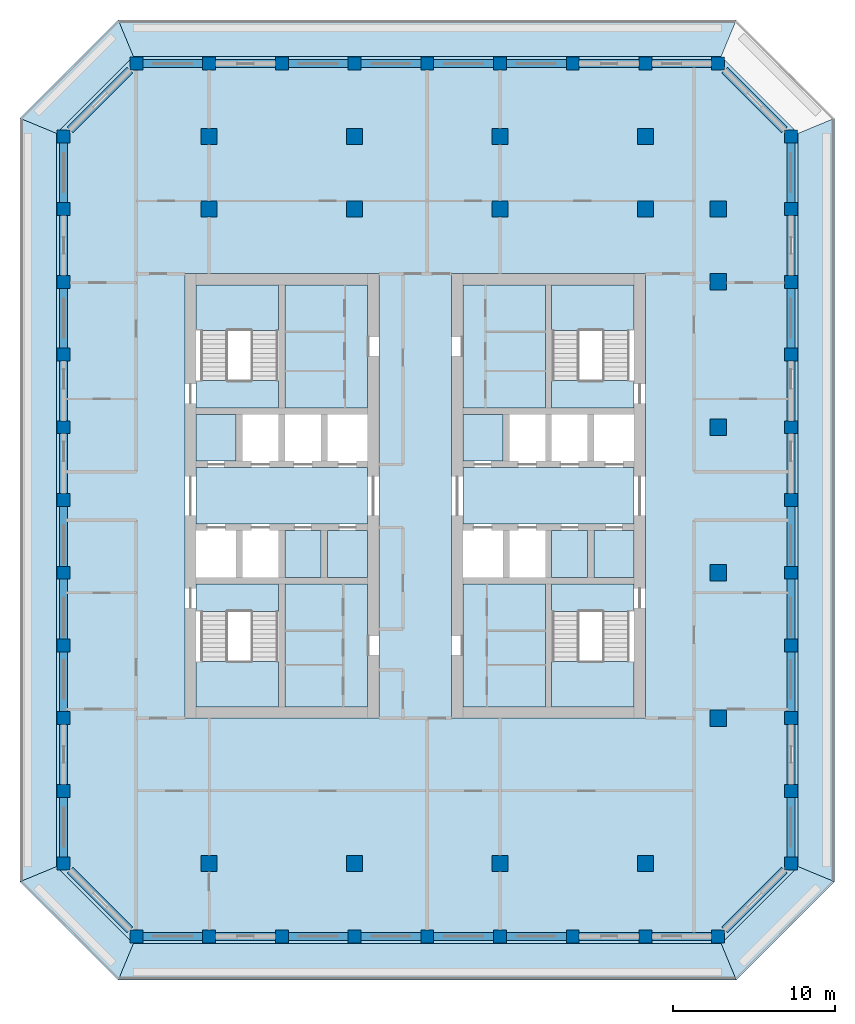
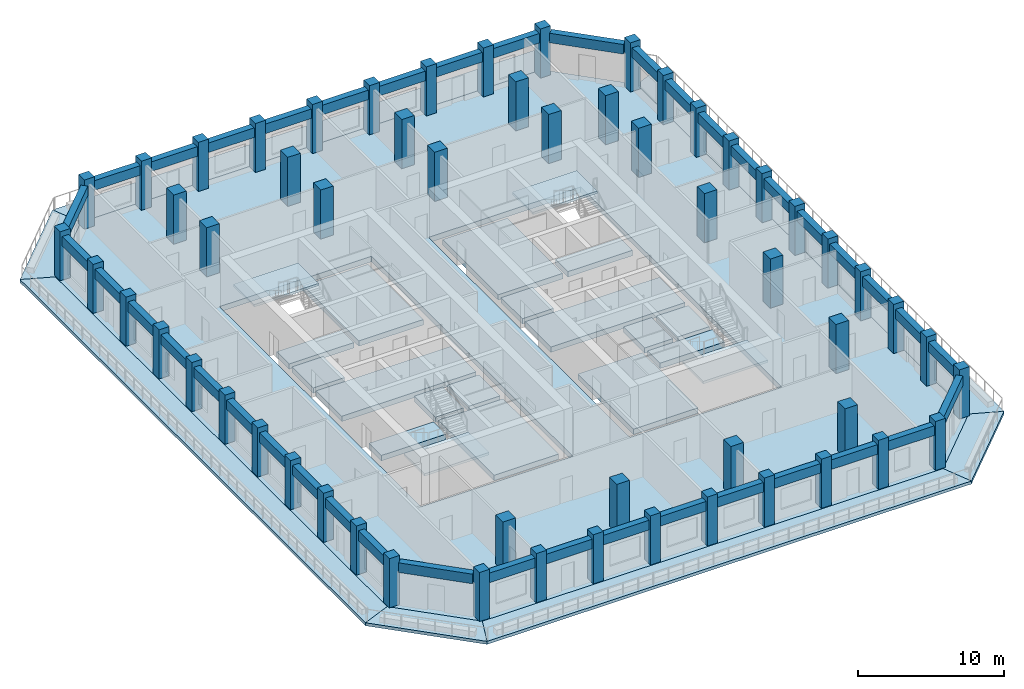
# One storey, part 1 of 17: 57 columns, 40 beams, 28 slabs, 4 elements without a shape of their own.
"""IFC4 building model written with IfcOpenShell, lengths in metres."""

from ifc_helpers import new_model, si_unit, direction, frame, origin, origin_2d, place, context, subcontext, project, spatial, polyline, rectangle, outline, extrude, material, layer, layer_set, material_profile, profile_set, type_object, element, aggregate, save


model = new_model("IFC4")

# Units and contexts
model_context = context("Model", 3, precision=1e-05, world=origin(), true_north=direction((0.0, 1.0)))
body_context = subcontext(model_context, "Body", "Model", "MODEL_VIEW")
ifc_project = project(units=[si_unit("LENGTHUNIT", "METRE"), si_unit("AREAUNIT", "SQUARE_METRE"), si_unit("VOLUMEUNIT", "CUBIC_METRE"), si_unit("PLANEANGLEUNIT", "RADIAN"), si_unit("MASSUNIT", "GRAM", prefix="KILO")], contexts=[model_context])

# Site, building, storey
site_placement = place(None, origin())
site = spatial("IfcSite", under=ifc_project, at=site_placement, CompositionType="ELEMENT")
building_placement = place(site_placement, origin())
building = spatial("IfcBuilding", under=site, at=building_placement, Name="Corbel Stack Research Tower", CompositionType="ELEMENT")
storey_placement = place(building_placement, frame((0.0, 0.0, 243.89990234375)))
storey = spatial("IfcBuildingStorey", under=building, at=storey_placement, Name="L55", CompositionType="ELEMENT", Elevation=243.89990234375)

# Columns
ifc_material_1 = material(Name="Concrete C60/75", Category="concrete")
ifc_material_profile_1 = material_profile(ifc_material_1, rectangle(XDim=1.0, YDim=1.0, at=origin_2d()), Name="RC 1000 x 1000")
ifc_profile_set_1 = profile_set([ifc_material_profile_1], Name="Concrete C60/75")
column_type_1 = type_object("IfcColumnType", Name="C-1000-60", PredefinedType="COLUMN", material=ifc_profile_set_1)
for number, where, z_axis, x_axis, name in (
    (1, (-9.0, -18.0, 0.0), (0.0, 0.0, 1.0), (1.0, 0.0, 0.0), "Column 6/D L55"),
    (2, (-9.0, 22.5, 0.0), (0.0, 0.0, 1.0), (1.0, 0.0, 0.0), "Column 6/N L55"),
    (3, (-9.0, 27.0, 0.0), (0.0, 0.0, 1.0), (1.0, 0.0, 0.0), "Column 6/P L55"),
    (4, (0.0, -18.0, 0.0), (0.0, 0.0, 1.0), (1.0, 0.0, 0.0), "Column 8/D L55"),
    (5, (0.0, 22.5, 0.0), (0.0, 0.0, 1.0), (1.0, 0.0, 0.0), "Column 8/N L55"),
    (6, (0.0, 27.0, 0.0), (0.0, 0.0, 1.0), (1.0, 0.0, 0.0), "Column 8/P L55"),
    (7, (9.0, -18.0, 0.0), (0.0, 0.0, 1.0), (1.0, 0.0, 0.0), "Column 10/D L55"),
    (8, (9.0, 22.5, 0.0), (0.0, 0.0, 1.0), (1.0, 0.0, 0.0), "Column 10/N L55"),
    (9, (9.0, 27.0, 0.0), (0.0, 0.0, 1.0), (1.0, 0.0, 0.0), "Column 10/P L55"),
    (10, (18.0, -18.0, 0.0), (0.0, 0.0, 1.0), (1.0, 0.0, 0.0), "Column 12/D L55"),
    (11, (18.0, 22.5, 0.0), (0.0, 0.0, 1.0), (1.0, 0.0, 0.0), "Column 12/N L55"),
    (12, (18.0, 27.0, 0.0), (0.0, 0.0, 1.0), (1.0, 0.0, 0.0), "Column 12/P L55"),
    (13, (22.5, -9.0, 0.0), (0.0, 0.0, 1.0), (1.0, 0.0, 0.0), "Column 13/F L55"),
    (14, (22.5, 0.0, 0.0), (0.0, 0.0, 1.0), (1.0, 0.0, 0.0), "Column 13/H L55"),
    (15, (22.5, 9.0, 0.0), (0.0, 0.0, 1.0), (1.0, 0.0, 0.0), "Column 13/K L55"),
    (16, (22.5, 18.0, 0.0), (0.0, 0.0, 1.0), (1.0, 0.0, 0.0), "Column 13/M L55"),
    (17, (22.5, 22.5, 0.0), (0.0, 0.0, 1.0), (1.0, 0.0, 0.0), "Column 13/N L55"),
):
    element("IfcColumn", number, at=place(storey_placement, frame(where, z_axis=z_axis, x_axis=x_axis)), inside=storey, type_object=column_type_1, Name=name, PredefinedType="COLUMN", context=body_context, shape_type="SweptSolid", body=[
        extrude(rectangle(XDim=1.0, YDim=1.0, at=origin_2d()), origin(), (0.0, 0.0, 1.0), 4.10009765625),
    ])
ifc_material_2 = material(Name="Concrete C60/75", Category="concrete")
ifc_material_profile_2 = material_profile(ifc_material_2, rectangle(XDim=0.800048828125, YDim=0.800048828125, at=origin_2d()), Name="RC 800 x 800")
ifc_profile_set_2 = profile_set([ifc_material_profile_2], Name="Concrete C60/75")
column_type_2 = type_object("IfcColumnType", Name="C-800-60", PredefinedType="COLUMN", material=ifc_profile_set_2)
for number, where, z_axis, x_axis, name in (
    (18, (-18.0, -18.0, 0.0), (0.0, 0.0, 1.0), (1.0, 0.0, 0.0), "Column 4/D L55"),
    (19, (-18.0, -13.5, 0.0), (0.0, 0.0, 1.0), (1.0, 0.0, 0.0), "Column 4/E L55"),
    (20, (-18.0, -9.0, 0.0), (0.0, 0.0, 1.0), (1.0, 0.0, 0.0), "Column 4/F L55"),
    (21, (-18.0, -4.5, 0.0), (0.0, 0.0, 1.0), (1.0, 0.0, 0.0), "Column 4/G L55"),
    (22, (-18.0, 0.0, 0.0), (0.0, 0.0, 1.0), (1.0, 0.0, 0.0), "Column 4/H L55"),
    (23, (-18.0, 4.5, 0.0), (0.0, 0.0, 1.0), (1.0, 0.0, 0.0), "Column 4/J L55"),
    (24, (-18.0, 9.0, 0.0), (0.0, 0.0, 1.0), (1.0, 0.0, 0.0), "Column 4/K L55"),
    (25, (-18.0, 13.5, 0.0), (0.0, 0.0, 1.0), (1.0, 0.0, 0.0), "Column 4/L L55"),
    (26, (-18.0, 18.0, 0.0), (0.0, 0.0, 1.0), (1.0, 0.0, 0.0), "Column 4/M L55"),
    (27, (-18.0, 22.5, 0.0), (0.0, 0.0, 1.0), (1.0, 0.0, 0.0), "Column 4/N L55"),
    (28, (-18.0, 27.0, 0.0), (0.0, 0.0, 1.0), (1.0, 0.0, 0.0), "Column 4/P L55"),
    (29, (-13.5, -22.5, 0.0), (0.0, 0.0, 1.0), (1.0, 0.0, 0.0), "Column 5/C L55"),
    (30, (-13.5, 31.5, 0.0), (0.0, 0.0, 1.0), (1.0, 0.0, 0.0), "Column 5/Q L55"),
    (31, (-9.0, -22.5, 0.0), (0.0, 0.0, 1.0), (1.0, 0.0, 0.0), "Column 6/C L55"),
    (32, (-9.0, 31.5, 0.0), (0.0, 0.0, 1.0), (1.0, 0.0, 0.0), "Column 6/Q L55"),
    (33, (-4.5, -22.5, 0.0), (0.0, 0.0, 1.0), (1.0, 0.0, 0.0), "Column 7/C L55"),
    (34, (-4.5, 31.5, 0.0), (0.0, 0.0, 1.0), (1.0, 0.0, 0.0), "Column 7/Q L55"),
    (35, (0.0, -22.5, 0.0), (0.0, 0.0, 1.0), (1.0, 0.0, 0.0), "Column 8/C L55"),
    (36, (0.0, 31.5, 0.0), (0.0, 0.0, 1.0), (1.0, 0.0, 0.0), "Column 8/Q L55"),
    (37, (4.5, -22.5, 0.0), (0.0, 0.0, 1.0), (1.0, 0.0, 0.0), "Column 9/C L55"),
    (38, (4.5, 31.5, 0.0), (0.0, 0.0, 1.0), (1.0, 0.0, 0.0), "Column 9/Q L55"),
    (39, (9.0, -22.5, 0.0), (0.0, 0.0, 1.0), (1.0, 0.0, 0.0), "Column 10/C L55"),
    (40, (9.0, 31.5, 0.0), (0.0, 0.0, 1.0), (1.0, 0.0, 0.0), "Column 10/Q L55"),
    (41, (13.5, -22.5, 0.0), (0.0, 0.0, 1.0), (1.0, 0.0, 0.0), "Column 11/C L55"),
    (42, (13.5, 31.5, 0.0), (0.0, 0.0, 1.0), (1.0, 0.0, 0.0), "Column 11/Q L55"),
    (43, (18.0, -22.5, 0.0), (0.0, 0.0, 1.0), (1.0, 0.0, 0.0), "Column 12/C L55"),
    (44, (18.0, 31.5, 0.0), (0.0, 0.0, 1.0), (1.0, 0.0, 0.0), "Column 12/Q L55"),
    (45, (22.5, -22.5, 0.0), (0.0, 0.0, 1.0), (1.0, 0.0, 0.0), "Column 13/C L55"),
    (46, (22.5, 31.5, 0.0), (0.0, 0.0, 1.0), (1.0, 0.0, 0.0), "Column 13/Q L55"),
    (47, (27.0, -18.0, 0.0), (0.0, 0.0, 1.0), (1.0, 0.0, 0.0), "Column 14/D L55"),
    (48, (27.0, -13.5, 0.0), (0.0, 0.0, 1.0), (1.0, 0.0, 0.0), "Column 14/E L55"),
    (49, (27.0, -9.0, 0.0), (0.0, 0.0, 1.0), (1.0, 0.0, 0.0), "Column 14/F L55"),
    (50, (27.0, -4.5, 0.0), (0.0, 0.0, 1.0), (1.0, 0.0, 0.0), "Column 14/G L55"),
    (51, (27.0, 0.0, 0.0), (0.0, 0.0, 1.0), (1.0, 0.0, 0.0), "Column 14/H L55"),
    (52, (27.0, 4.5, 0.0), (0.0, 0.0, 1.0), (1.0, 0.0, 0.0), "Column 14/J L55"),
    (53, (27.0, 9.0, 0.0), (0.0, 0.0, 1.0), (1.0, 0.0, 0.0), "Column 14/K L55"),
    (54, (27.0, 13.5, 0.0), (0.0, 0.0, 1.0), (1.0, 0.0, 0.0), "Column 14/L L55"),
    (55, (27.0, 18.0, 0.0), (0.0, 0.0, 1.0), (1.0, 0.0, 0.0), "Column 14/M L55"),
    (56, (27.0, 22.5, 0.0), (0.0, 0.0, 1.0), (1.0, 0.0, 0.0), "Column 14/N L55"),
    (57, (27.0, 27.0, 0.0), (0.0, 0.0, 1.0), (1.0, 0.0, 0.0), "Column 14/P L55"),
):
    element("IfcColumn", number, at=place(storey_placement, frame(where, z_axis=z_axis, x_axis=x_axis)), inside=storey, type_object=column_type_2, Name=name, PredefinedType="COLUMN", context=body_context, shape_type="SweptSolid", body=[
        extrude(rectangle(XDim=0.800048828125, YDim=0.800048828125, at=origin_2d()), origin(), (0.0, 0.0, 1.0), 4.10009765625),
    ])

# Beams
ifc_material_3 = material(Name="Concrete C60/75", Category="concrete")
ifc_material_profile_3 = material_profile(ifc_material_3, rectangle(XDim=0.5, YDim=0.800048828125, at=origin_2d()), Name="RC 500 x 800")
ifc_profile_set_3 = profile_set([ifc_material_profile_3], Name="Concrete C60/75")
beam_type = type_object("IfcBeamType", Name="SB-500-800-450", PredefinedType="SPANDREL", material=ifc_profile_set_3)
for number, where, z_axis, x_axis, name in (
    (58, (-13.10009765625, -22.5, 3.25), (1.0, 0.0, 0.0), (0.0, 1.0, 0.0), "Spandrel beam L55-01"),
    (59, (-8.60009765625, -22.5, 3.25), (1.0, 0.0, 0.0), (0.0, 1.0, 0.0), "Spandrel beam L55-02"),
    (60, (-4.10009765625, -22.5, 3.25), (1.0, 0.0, 0.0), (0.0, 1.0, 0.0), "Spandrel beam L55-03"),
    (61, (0.39990234375, -22.5, 3.25), (1.0, 0.0, 0.0), (0.0, 1.0, 0.0), "Spandrel beam L55-04"),
    (62, (4.89990234375, -22.5, 3.25), (1.0, 0.0, 0.0), (0.0, 1.0, 0.0), "Spandrel beam L55-05"),
    (63, (9.39990234375, -22.5, 3.25), (1.0, 0.0, 0.0), (0.0, 1.0, 0.0), "Spandrel beam L55-06"),
    (64, (13.89990234375, -22.5, 3.25), (1.0, 0.0, 0.0), (0.0, 1.0, 0.0), "Spandrel beam L55-07"),
    (65, (18.39990234375, -22.5, 3.25), (1.0, 0.0, 0.0), (0.0, 1.0, 0.0), "Spandrel beam L55-08"),
):
    element("IfcBeam", number, at=place(storey_placement, frame(where, z_axis=z_axis, x_axis=x_axis)), inside=storey, type_object=beam_type, Name=name, PredefinedType="SPANDREL", context=body_context, shape_type="SweptSolid", body=[
        extrude(rectangle(XDim=0.5, YDim=0.800048828125, at=origin_2d()), origin(), (0.0, 0.0, 1.0), 3.7001953125),
    ])
beam_1_placement = place(storey_placement, frame((22.89990234375, -22.10009765625, 3.25), z_axis=(0.707106781187, 0.707106781187, 0.0), x_axis=(-0.707106781187, 0.707106781187, 0.0)))
element("IfcBeam", 66, at=beam_1_placement, inside=storey, type_object=beam_type, Name="Spandrel beam L55-09", PredefinedType="SPANDREL", context=body_context, shape_type="SweptSolid", body=[
    extrude(rectangle(XDim=0.5, YDim=0.800048828125, at=origin_2d()), origin(), (0.0, 0.0, 1.0), 5.23291015625),
])
for number, where, z_axis, x_axis, name in (
    (67, (27.0, -17.60009765625, 3.25), (0.0, 1.0, 0.0), (-1.0, 0.0, 0.0), "Spandrel beam L55-10"),
    (68, (27.0, -13.10009765625, 3.25), (0.0, 1.0, 0.0), (-1.0, 0.0, 0.0), "Spandrel beam L55-11"),
    (69, (27.0, -8.60009765625, 3.25), (0.0, 1.0, 0.0), (-1.0, 0.0, 0.0), "Spandrel beam L55-12"),
    (70, (27.0, -4.10009765625, 3.25), (0.0, 1.0, 0.0), (-1.0, 0.0, 0.0), "Spandrel beam L55-13"),
    (71, (27.0, 0.39990234375, 3.25), (0.0, 1.0, 0.0), (-1.0, 0.0, 0.0), "Spandrel beam L55-14"),
    (72, (27.0, 4.89990234375, 3.25), (0.0, 1.0, 0.0), (-1.0, 0.0, 0.0), "Spandrel beam L55-15"),
    (73, (27.0, 9.39990234375, 3.25), (0.0, 1.0, 0.0), (-1.0, 0.0, 0.0), "Spandrel beam L55-16"),
    (74, (27.0, 13.89990234375, 3.25), (0.0, 1.0, 0.0), (-1.0, 0.0, 0.0), "Spandrel beam L55-17"),
    (75, (27.0, 18.39990234375, 3.25), (0.0, 1.0, 0.0), (-1.0, 0.0, 0.0), "Spandrel beam L55-18"),
    (76, (27.0, 22.89990234375, 3.25), (0.0, 1.0, 0.0), (-1.0, 0.0, 0.0), "Spandrel beam L55-19"),
):
    element("IfcBeam", number, at=place(storey_placement, frame(where, z_axis=z_axis, x_axis=x_axis)), inside=storey, type_object=beam_type, Name=name, PredefinedType="SPANDREL", context=body_context, shape_type="SweptSolid", body=[
        extrude(rectangle(XDim=0.5, YDim=0.800048828125, at=origin_2d()), origin(), (0.0, 0.0, 1.0), 3.7001953125),
    ])
beam_2_placement = place(storey_placement, frame((26.60009765625, 27.39990234375, 3.25), z_axis=(-0.707106781187, 0.707106781187, 0.0), x_axis=(-0.707106781187, -0.707106781187, 0.0)))
element("IfcBeam", 77, at=beam_2_placement, inside=storey, type_object=beam_type, Name="Spandrel beam L55-20", PredefinedType="SPANDREL", context=body_context, shape_type="SweptSolid", body=[
    extrude(rectangle(XDim=0.5, YDim=0.800048828125, at=origin_2d()), origin(), (0.0, 0.0, 1.0), 5.23291015625),
])
for number, where, z_axis, x_axis, name in (
    (78, (22.10009765625, 31.5, 3.25), (-1.0, 0.0, 0.0), (0.0, -1.0, 0.0), "Spandrel beam L55-21"),
    (79, (17.60009765625, 31.5, 3.25), (-1.0, 0.0, 0.0), (0.0, -1.0, 0.0), "Spandrel beam L55-22"),
    (80, (13.10009765625, 31.5, 3.25), (-1.0, 0.0, 0.0), (0.0, -1.0, 0.0), "Spandrel beam L55-23"),
    (81, (8.60009765625, 31.5, 3.25), (-1.0, 0.0, 0.0), (0.0, -1.0, 0.0), "Spandrel beam L55-24"),
    (82, (4.10009765625, 31.5, 3.25), (-1.0, 0.0, 0.0), (0.0, -1.0, 0.0), "Spandrel beam L55-25"),
    (83, (-0.39990234375, 31.5, 3.25), (-1.0, 0.0, 0.0), (0.0, -1.0, 0.0), "Spandrel beam L55-26"),
    (84, (-4.89990234375, 31.5, 3.25), (-1.0, 0.0, 0.0), (0.0, -1.0, 0.0), "Spandrel beam L55-27"),
    (85, (-9.39990234375, 31.5, 3.25), (-1.0, 0.0, 0.0), (0.0, -1.0, 0.0), "Spandrel beam L55-28"),
):
    element("IfcBeam", number, at=place(storey_placement, frame(where, z_axis=z_axis, x_axis=x_axis)), inside=storey, type_object=beam_type, Name=name, PredefinedType="SPANDREL", context=body_context, shape_type="SweptSolid", body=[
        extrude(rectangle(XDim=0.5, YDim=0.800048828125, at=origin_2d()), origin(), (0.0, 0.0, 1.0), 3.7001953125),
    ])
beam_3_placement = place(storey_placement, frame((-13.89990234375, 31.10009765625, 3.25), z_axis=(-0.707106781187, -0.707106781187, 0.0), x_axis=(0.707106781187, -0.707106781187, 0.0)))
element("IfcBeam", 86, at=beam_3_placement, inside=storey, type_object=beam_type, Name="Spandrel beam L55-29", PredefinedType="SPANDREL", context=body_context, shape_type="SweptSolid", body=[
    extrude(rectangle(XDim=0.5, YDim=0.800048828125, at=origin_2d()), origin(), (0.0, 0.0, 1.0), 5.23291015625),
])
for number, where, z_axis, x_axis, name in (
    (87, (-18.0, 26.60009765625, 3.25), (0.0, -1.0, 0.0), (1.0, 0.0, 0.0), "Spandrel beam L55-30"),
    (88, (-18.0, 22.10009765625, 3.25), (0.0, -1.0, 0.0), (1.0, 0.0, 0.0), "Spandrel beam L55-31"),
    (89, (-18.0, 17.60009765625, 3.25), (0.0, -1.0, 0.0), (1.0, 0.0, 0.0), "Spandrel beam L55-32"),
    (90, (-18.0, 13.10009765625, 3.25), (0.0, -1.0, 0.0), (1.0, 0.0, 0.0), "Spandrel beam L55-33"),
    (91, (-18.0, 8.60009765625, 3.25), (0.0, -1.0, 0.0), (1.0, 0.0, 0.0), "Spandrel beam L55-34"),
    (92, (-18.0, 4.10009765625, 3.25), (0.0, -1.0, 0.0), (1.0, 0.0, 0.0), "Spandrel beam L55-35"),
    (93, (-18.0, -0.39990234375, 3.25), (0.0, -1.0, 0.0), (1.0, 0.0, 0.0), "Spandrel beam L55-36"),
    (94, (-18.0, -4.89990234375, 3.25), (0.0, -1.0, 0.0), (1.0, 0.0, 0.0), "Spandrel beam L55-37"),
    (95, (-18.0, -9.39990234375, 3.25), (0.0, -1.0, 0.0), (1.0, 0.0, 0.0), "Spandrel beam L55-38"),
    (96, (-18.0, -13.89990234375, 3.25), (0.0, -1.0, 0.0), (1.0, 0.0, 0.0), "Spandrel beam L55-39"),
):
    element("IfcBeam", number, at=place(storey_placement, frame(where, z_axis=z_axis, x_axis=x_axis)), inside=storey, type_object=beam_type, Name=name, PredefinedType="SPANDREL", context=body_context, shape_type="SweptSolid", body=[
        extrude(rectangle(XDim=0.5, YDim=0.800048828125, at=origin_2d()), origin(), (0.0, 0.0, 1.0), 3.7001953125),
    ])
beam_4_placement = place(storey_placement, frame((-17.60009765625, -18.39990234375, 3.25), z_axis=(0.707106781187, -0.707106781187, 0.0), x_axis=(0.707106781187, 0.707106781187, 0.0)))
element("IfcBeam", 97, at=beam_4_placement, inside=storey, type_object=beam_type, Name="Spandrel beam L55-40", PredefinedType="SPANDREL", context=body_context, shape_type="SweptSolid", body=[
    extrude(rectangle(XDim=0.5, YDim=0.800048828125, at=origin_2d()), origin(), (0.0, 0.0, 1.0), 5.23291015625),
])

# Slabs
ifc_material_4 = material(Name="Concrete C45/55", Category="concrete")
ifc_layer_1 = layer(ifc_material_4, 0.25)
ifc_layer_set_1 = layer_set([ifc_layer_1], Name="Concrete C45/55")
slab_type_1 = type_object("IfcSlabType", Name="PT balcony slab 250 C45/55", PredefinedType="FLOOR", material=ifc_layer_set_1)
slab_1_placement = place(storey_placement, frame((0.0, 0.0, -0.25)))
element("IfcSlab", 98, at=slab_1_placement, inside=storey, type_object=slab_type_1, Name="Loggia slab L55 S", PredefinedType="FLOOR", context=body_context, shape_type="SweptSolid", body=[
    extrude(outline(polyline([(22.686279296875, -22.949951171875), (-13.686279296875, -22.949951171875), (-14.618408203125, -25.199951171875), (23.618408203125, -25.199951171875), (22.686279296875, -22.949951171875)])), origin(), (0.0, 0.0, 1.0), 0.25),
])
slab_2_placement = place(storey_placement, frame((0.0, 0.0, -0.25)))
element("IfcSlab", 99, at=slab_2_placement, inside=storey, type_object=slab_type_1, Name="Loggia slab L55 SE", PredefinedType="FLOOR", context=body_context, shape_type="SweptSolid", body=[
    extrude(outline(polyline([(27.449951171875, -18.186279296875), (27.39990234375, -18.236328125), (27.39990234375, -18.39990234375), (27.236328125, -18.39990234375), (22.89990234375, -22.736328125), (22.89990234375, -22.89990234375), (22.736328125, -22.89990234375), (22.686279296875, -22.949951171875), (23.618408203125, -25.199951171875), (29.699951171875, -19.118408203125), (27.449951171875, -18.186279296875)])), origin(), (0.0, 0.0, 1.0), 0.25),
])
slab_3_placement = place(storey_placement, frame((0.0, 0.0, -0.25)))
element("IfcSlab", 100, at=slab_3_placement, inside=storey, type_object=slab_type_1, Name="Loggia slab L55 E", PredefinedType="FLOOR", context=body_context, shape_type="SweptSolid", body=[
    extrude(outline(polyline([(27.449951171875, 27.186279296875), (27.449951171875, -18.186279296875), (29.699951171875, -19.118408203125), (29.699951171875, 28.118408203125), (27.449951171875, 27.186279296875)])), origin(), (0.0, 0.0, 1.0), 0.25),
])
slab_4_placement = place(storey_placement, frame((0.0, 0.0, -0.25)))
element("IfcSlab", 101, at=slab_4_placement, inside=storey, type_object=slab_type_1, Name="Loggia slab L55 N", PredefinedType="FLOOR", context=body_context, shape_type="SweptSolid", body=[
    extrude(outline(polyline([(-13.686279296875, 31.949951171875), (22.686279296875, 31.949951171875), (23.618408203125, 34.199951171875), (-14.618408203125, 34.199951171875), (-13.686279296875, 31.949951171875)])), origin(), (0.0, 0.0, 1.0), 0.25),
])
slab_5_placement = place(storey_placement, frame((0.0, 0.0, -0.25)))
element("IfcSlab", 102, at=slab_5_placement, inside=storey, type_object=slab_type_1, Name="Loggia slab L55 NW", PredefinedType="FLOOR", context=body_context, shape_type="SweptSolid", body=[
    extrude(outline(polyline([(-18.449951171875, 27.186279296875), (-18.39990234375, 27.236328125), (-18.39990234375, 27.39990234375), (-18.236328125, 27.39990234375), (-13.89990234375, 31.736328125), (-13.89990234375, 31.89990234375), (-13.736328125, 31.89990234375), (-13.686279296875, 31.949951171875), (-14.618408203125, 34.199951171875), (-20.699951171875, 28.118408203125), (-18.449951171875, 27.186279296875)])), origin(), (0.0, 0.0, 1.0), 0.25),
])
slab_6_placement = place(storey_placement, frame((0.0, 0.0, -0.25)))
element("IfcSlab", 103, at=slab_6_placement, inside=storey, type_object=slab_type_1, Name="Loggia slab L55 W", PredefinedType="FLOOR", context=body_context, shape_type="SweptSolid", body=[
    extrude(outline(polyline([(-18.449951171875, -18.186279296875), (-18.449951171875, 27.186279296875), (-20.699951171875, 28.118408203125), (-20.699951171875, -19.118408203125), (-18.449951171875, -18.186279296875)])), origin(), (0.0, 0.0, 1.0), 0.25),
])
slab_7_placement = place(storey_placement, frame((0.0, 0.0, -0.25)))
element("IfcSlab", 104, at=slab_7_placement, inside=storey, type_object=slab_type_1, Name="Loggia slab L55 SW", PredefinedType="FLOOR", context=body_context, shape_type="SweptSolid", body=[
    extrude(outline(polyline([(-13.686279296875, -22.949951171875), (-13.736328125, -22.89990234375), (-13.89990234375, -22.89990234375), (-13.89990234375, -22.736328125), (-18.236328125, -18.39990234375), (-18.39990234375, -18.39990234375), (-18.39990234375, -18.236328125), (-18.449951171875, -18.186279296875), (-20.699951171875, -19.118408203125), (-14.618408203125, -25.199951171875), (-13.686279296875, -22.949951171875)])), origin(), (0.0, 0.0, 1.0), 0.25),
])
ifc_material_5 = material(Name="Concrete C45/55", Category="concrete")
ifc_layer_2 = layer(ifc_material_5, 0.449951171875)
ifc_layer_set_2 = layer_set([ifc_layer_2], Name="Concrete C45/55")
slab_type_2 = type_object("IfcSlabType", Name="PT-450", PredefinedType="FLOOR", material=ifc_layer_set_2)
slab_8_placement = place(storey_placement, frame((0.0, 0.0, -0.449951171875)))
element("IfcSlab", 105, at=slab_8_placement, inside=storey, type_object=slab_type_2, Name="Floor slab L55", PredefinedType="FLOOR", context=body_context, shape_type="SweptSolid", body=[
    extrude(outline(polyline([(-13.686279296875, -22.949951171875), (22.686279296875, -22.949951171875), (27.449951171875, -18.186279296875), (27.449951171875, 27.186279296875), (22.686279296875, 31.949951171875), (-13.686279296875, 31.949951171875), (-18.449951171875, 27.186279296875), (-18.449951171875, -18.186279296875), (-13.686279296875, -22.949951171875)]), holes=[polyline([(22.0, 22.0), (22.0, 23.0), (23.0, 23.0), (23.0, 22.0), (22.0, 22.0)]), polyline([(23.0, 17.5), (22.0, 17.5), (22.0, 18.5), (23.0, 18.5), (23.0, 17.5)]), polyline([(23.0, 8.5), (22.0, 8.5), (22.0, 9.5), (23.0, 9.5), (23.0, 8.5)]), polyline([(22.0, -0.5), (22.0, 0.5), (23.0, 0.5), (23.0, -0.5), (22.0, -0.5)]), polyline([(23.0, -9.5), (22.0, -9.5), (22.0, -8.5), (23.0, -8.5), (23.0, -9.5)]), polyline([(17.5, 26.5), (17.5, 27.5), (18.5, 27.5), (18.5, 26.5), (17.5, 26.5)]), polyline([(18.5, 22.0), (17.5, 22.0), (17.5, 23.0), (18.5, 23.0), (18.5, 22.0)]), polyline([(18.5, -18.5), (17.5, -18.5), (17.5, -17.5), (18.5, -17.5), (18.5, -18.5)]), polyline([(6.0, -9.0), (6.0, 18.5), (18.0, 18.5), (18.0, -9.0), (6.0, -9.0)]), polyline([(9.5, 26.5), (8.5, 26.5), (8.5, 27.5), (9.5, 27.5), (9.5, 26.5)]), polyline([(9.5, 22.0), (8.5, 22.0), (8.5, 23.0), (9.5, 23.0), (9.5, 22.0)]), polyline([(9.5, -18.5), (8.5, -18.5), (8.5, -17.5), (9.5, -17.5), (9.5, -18.5)]), polyline([(1.5, -9.0), (-10.5, -9.0), (-10.5, 18.5), (1.5, 18.5), (1.5, -9.0)]), polyline([(-0.5, 26.5), (-0.5, 27.5), (0.5, 27.5), (0.5, 26.5), (-0.5, 26.5)]), polyline([(0.5, 22.0), (-0.5, 22.0), (-0.5, 23.0), (0.5, 23.0), (0.5, 22.0)]), polyline([(0.5, -18.5), (-0.5, -18.5), (-0.5, -17.5), (0.5, -17.5), (0.5, -18.5)]), polyline([(-9.5, 26.5), (-9.5, 27.5), (-8.5, 27.5), (-8.5, 26.5), (-9.5, 26.5)]), polyline([(-8.5, 22.0), (-9.5, 22.0), (-9.5, 23.0), (-8.5, 23.0), (-8.5, 22.0)]), polyline([(-8.5, -18.5), (-9.5, -18.5), (-9.5, -17.5), (-8.5, -17.5), (-8.5, -18.5)])]), origin(), (0.0, 0.0, 1.0), 0.449951171875),
])
slab_9_placement = place(storey_placement, frame((0.0, 0.0, -0.449951171875)))
element("IfcSlab", 106, at=slab_9_placement, inside=storey, type_object=slab_type_2, Name="West core floor L55", PredefinedType="FLOOR", context=body_context, shape_type="SweptSolid", body=[
    extrude(outline(polyline([(-9.800048828125, 6.5), (-9.800048828125, 3.0), (0.800048828125, 3.0), (0.800048828125, 6.5), (-9.800048828125, 6.5)])), origin(), (0.0, 0.0, 1.0), 0.449951171875),
])
slab_10_placement = place(storey_placement, frame((0.0, 0.0, -0.449951171875)))
element("IfcSlab", 107, at=slab_10_placement, inside=storey, type_object=slab_type_2, Name="West core floor L55", PredefinedType="FLOOR", context=body_context, shape_type="SweptSolid", body=[
    extrude(outline(polyline([(-9.800048828125, 6.89990234375), (-7.324951171875, 6.89990234375), (-7.324951171875, 9.800048828125), (-9.800048828125, 9.800048828125), (-9.800048828125, 6.89990234375)])), origin(), (0.0, 0.0, 1.0), 0.449951171875),
])
slab_11_placement = place(storey_placement, frame((0.0, 0.0, -0.449951171875)))
element("IfcSlab", 108, at=slab_11_placement, inside=storey, type_object=slab_type_2, Name="West core floor L55", PredefinedType="FLOOR", context=body_context, shape_type="SweptSolid", body=[
    extrude(outline(polyline([(-4.300048828125, -0.699951171875), (-4.300048828125, -8.300048828125), (0.800048828125, -8.300048828125), (0.800048828125, -0.699951171875), (-4.300048828125, -0.699951171875)])), origin(), (0.0, 0.0, 1.0), 0.449951171875),
])
slab_12_placement = place(storey_placement, frame((0.0, 0.0, -0.449951171875)))
element("IfcSlab", 109, at=slab_12_placement, inside=storey, type_object=slab_type_2, Name="West core floor L55", PredefinedType="FLOOR", context=body_context, shape_type="SweptSolid", body=[
    extrude(outline(polyline([(-4.300048828125, 2.60009765625), (-4.300048828125, -0.300048828125), (-2.074951171875, -0.300048828125), (-2.074951171875, 2.60009765625), (-4.300048828125, 2.60009765625)])), origin(), (0.0, 0.0, 1.0), 0.449951171875),
])
slab_13_placement = place(storey_placement, frame((0.0, 0.0, -0.449951171875)))
element("IfcSlab", 110, at=slab_13_placement, inside=storey, type_object=slab_type_2, Name="West core floor L55", PredefinedType="FLOOR", context=body_context, shape_type="SweptSolid", body=[
    extrude(outline(polyline([(-4.300048828125, 17.800048828125), (-4.300048828125, 10.199951171875), (0.800048828125, 10.199951171875), (0.800048828125, 17.800048828125), (-4.300048828125, 17.800048828125)])), origin(), (0.0, 0.0, 1.0), 0.449951171875),
])
slab_14_placement = place(storey_placement, frame((0.0, 0.0, -0.449951171875)))
element("IfcSlab", 111, at=slab_14_placement, inside=storey, type_object=slab_type_2, Name="West core floor L55", PredefinedType="FLOOR", context=body_context, shape_type="SweptSolid", body=[
    extrude(outline(polyline([(-1.675048828125, 2.60009765625), (-1.675048828125, -0.300048828125), (0.800048828125, -0.300048828125), (0.800048828125, 2.60009765625), (-1.675048828125, 2.60009765625)])), origin(), (0.0, 0.0, 1.0), 0.449951171875),
])
slab_15_placement = place(storey_placement, frame((0.0, 0.0, -0.449951171875)))
element("IfcSlab", 112, at=slab_15_placement, inside=storey, type_object=slab_type_2, Name="East core floor L55", PredefinedType="FLOOR", context=body_context, shape_type="SweptSolid", body=[
    extrude(outline(polyline([(6.699951171875, -8.300048828125), (11.800048828125, -8.300048828125), (11.800048828125, -0.699951171875), (6.699951171875, -0.699951171875), (6.699951171875, -8.300048828125)])), origin(), (0.0, 0.0, 1.0), 0.449951171875),
])
slab_16_placement = place(storey_placement, frame((0.0, 0.0, -0.449951171875)))
element("IfcSlab", 113, at=slab_16_placement, inside=storey, type_object=slab_type_2, Name="East core floor L55", PredefinedType="FLOOR", context=body_context, shape_type="SweptSolid", body=[
    extrude(outline(polyline([(6.699951171875, 3.0), (17.300048828125, 3.0), (17.300048828125, 6.5), (6.699951171875, 6.5), (6.699951171875, 3.0)])), origin(), (0.0, 0.0, 1.0), 0.449951171875),
])
slab_17_placement = place(storey_placement, frame((0.0, 0.0, -0.449951171875)))
element("IfcSlab", 114, at=slab_17_placement, inside=storey, type_object=slab_type_2, Name="East core floor L55", PredefinedType="FLOOR", context=body_context, shape_type="SweptSolid", body=[
    extrude(outline(polyline([(6.699951171875, 6.89990234375), (9.175048828125, 6.89990234375), (9.175048828125, 9.800048828125), (6.699951171875, 9.800048828125), (6.699951171875, 6.89990234375)])), origin(), (0.0, 0.0, 1.0), 0.449951171875),
])
slab_18_placement = place(storey_placement, frame((0.0, 0.0, -0.449951171875)))
element("IfcSlab", 115, at=slab_18_placement, inside=storey, type_object=slab_type_2, Name="East core floor L55", PredefinedType="FLOOR", context=body_context, shape_type="SweptSolid", body=[
    extrude(outline(polyline([(6.699951171875, 10.199951171875), (11.800048828125, 10.199951171875), (11.800048828125, 17.800048828125), (6.699951171875, 17.800048828125), (6.699951171875, 10.199951171875)])), origin(), (0.0, 0.0, 1.0), 0.449951171875),
])
slab_19_placement = place(storey_placement, frame((0.0, 0.0, -0.449951171875)))
element("IfcSlab", 116, at=slab_19_placement, inside=storey, type_object=slab_type_2, Name="East core floor L55", PredefinedType="FLOOR", context=body_context, shape_type="SweptSolid", body=[
    extrude(outline(polyline([(12.199951171875, 2.60009765625), (12.199951171875, -0.300048828125), (14.425048828125, -0.300048828125), (14.425048828125, 2.60009765625), (12.199951171875, 2.60009765625)])), origin(), (0.0, 0.0, 1.0), 0.449951171875),
])
slab_20_placement = place(storey_placement, frame((0.0, 0.0, -0.449951171875)))
element("IfcSlab", 117, at=slab_20_placement, inside=storey, type_object=slab_type_2, Name="East core floor L55", PredefinedType="FLOOR", context=body_context, shape_type="SweptSolid", body=[
    extrude(outline(polyline([(14.824951171875, 2.60009765625), (14.824951171875, -0.300048828125), (17.300048828125, -0.300048828125), (17.300048828125, 2.60009765625), (14.824951171875, 2.60009765625)])), origin(), (0.0, 0.0, 1.0), 0.449951171875),
])
slab_21_placement = place(storey_placement, frame((0.0, 0.0, -0.449951171875)))
element("IfcSlab", 118, at=slab_21_placement, inside=storey, type_object=slab_type_2, Name="Stair floor landing ST-W1", PredefinedType="FLOOR", context=body_context, shape_type="SweptSolid", body=[
    extrude(outline(polyline([(-9.800048828125, -2.39990234375), (-4.699951171875, -2.39990234375), (-4.699951171875, -0.699951171875), (-9.800048828125, -0.699951171875), (-9.800048828125, -2.39990234375)])), origin(), (0.0, 0.0, 1.0), 0.449951171875),
])
slab_22_placement = place(storey_placement, frame((0.0, 0.0, -0.449951171875)))
element("IfcSlab", 119, at=slab_22_placement, inside=storey, type_object=slab_type_2, Name="Stair floor landing ST-W2", PredefinedType="FLOOR", context=body_context, shape_type="SweptSolid", body=[
    extrude(outline(polyline([(-9.800048828125, 10.199951171875), (-4.699951171875, 10.199951171875), (-4.699951171875, 11.89990234375), (-9.800048828125, 11.89990234375), (-9.800048828125, 10.199951171875)])), origin(), (0.0, 0.0, 1.0), 0.449951171875),
])
slab_23_placement = place(storey_placement, frame((0.0, 0.0, -0.449951171875)))
element("IfcSlab", 120, at=slab_23_placement, inside=storey, type_object=slab_type_2, Name="Stair floor landing ST-E1", PredefinedType="FLOOR", context=body_context, shape_type="SweptSolid", body=[
    extrude(outline(polyline([(12.199951171875, -2.39990234375), (17.300048828125, -2.39990234375), (17.300048828125, -0.699951171875), (12.199951171875, -0.699951171875), (12.199951171875, -2.39990234375)])), origin(), (0.0, 0.0, 1.0), 0.449951171875),
])
slab_24_placement = place(storey_placement, frame((0.0, 0.0, -0.449951171875)))
element("IfcSlab", 121, at=slab_24_placement, inside=storey, type_object=slab_type_2, Name="Stair floor landing ST-E2", PredefinedType="FLOOR", context=body_context, shape_type="SweptSolid", body=[
    extrude(outline(polyline([(12.199951171875, 10.199951171875), (17.300048828125, 10.199951171875), (17.300048828125, 11.89990234375), (12.199951171875, 11.89990234375), (12.199951171875, 10.199951171875)])), origin(), (0.0, 0.0, 1.0), 0.449951171875),
])

# Stair, slab
ifc_material_6 = material(Name="Concrete C40/50", Category="concrete")
stair_type = type_object("IfcStairType", Name="Exit stair 24 risers", PredefinedType="HALF_TURN_STAIR", material=ifc_material_6)
stair_1_placement = place(storey_placement, origin())
stair_1 = element("IfcStair", 122, at=stair_1_placement, inside=storey, type_object=stair_type, Name="L55 Exit stair ST-W1", PredefinedType="HALF_TURN_STAIR")
ifc_material_7 = material(Name="Concrete C40/50", Category="concrete")
ifc_layer_3 = layer(ifc_material_7, 0.199951171875)
ifc_layer_set_3 = layer_set([ifc_layer_3], Name="Concrete C40/50")
slab_type_3 = type_object("IfcSlabType", Name="Stair landing 200 C40/50", PredefinedType="LANDING", material=ifc_layer_set_3)
slab_25_placement = place(storey_placement, frame((0.0, 0.0, 1.85009765625)))
slab_25 = element("IfcSlab", 123, at=slab_25_placement, type_object=slab_type_3, Name="ST-W1 landing 1", PredefinedType="LANDING", context=body_context, shape_type="SweptSolid", body=[
    extrude(outline(polyline([(-9.800048828125, -8.300048828125), (-9.800048828125, -5.47998046875), (-4.699951171875, -5.47998046875), (-4.699951171875, -8.300048828125), (-9.800048828125, -8.300048828125)])), origin(), (0.0, 0.0, 1.0), 0.199951171875),
])
aggregate(stair_1, [slab_25])

stair_2_placement = place(storey_placement, origin())
stair_2 = element("IfcStair", 124, at=stair_2_placement, inside=storey, type_object=stair_type, Name="L55 Exit stair ST-W2", PredefinedType="HALF_TURN_STAIR")
slab_26_placement = place(storey_placement, frame((0.0, 0.0, 1.85009765625)))
slab_26 = element("IfcSlab", 125, at=slab_26_placement, type_object=slab_type_3, Name="ST-W2 landing 1", PredefinedType="LANDING", context=body_context, shape_type="SweptSolid", body=[
    extrude(outline(polyline([(-9.800048828125, 14.97998046875), (-9.800048828125, 17.800048828125), (-4.699951171875, 17.800048828125), (-4.699951171875, 14.97998046875), (-9.800048828125, 14.97998046875)])), origin(), (0.0, 0.0, 1.0), 0.199951171875),
])
aggregate(stair_2, [slab_26])

stair_3_placement = place(storey_placement, origin())
stair_3 = element("IfcStair", 126, at=stair_3_placement, inside=storey, type_object=stair_type, Name="L55 Exit stair ST-E1", PredefinedType="HALF_TURN_STAIR")
slab_27_placement = place(storey_placement, frame((0.0, 0.0, 1.85009765625)))
slab_27 = element("IfcSlab", 127, at=slab_27_placement, type_object=slab_type_3, Name="ST-E1 landing 1", PredefinedType="LANDING", context=body_context, shape_type="SweptSolid", body=[
    extrude(outline(polyline([(12.199951171875, -8.300048828125), (12.199951171875, -5.47998046875), (17.300048828125, -5.47998046875), (17.300048828125, -8.300048828125), (12.199951171875, -8.300048828125)])), origin(), (0.0, 0.0, 1.0), 0.199951171875),
])
aggregate(stair_3, [slab_27])

stair_4_placement = place(storey_placement, origin())
stair_4 = element("IfcStair", 128, at=stair_4_placement, inside=storey, type_object=stair_type, Name="L55 Exit stair ST-E2", PredefinedType="HALF_TURN_STAIR")
slab_28_placement = place(storey_placement, frame((0.0, 0.0, 1.85009765625)))
slab_28 = element("IfcSlab", 129, at=slab_28_placement, type_object=slab_type_3, Name="ST-E2 landing 1", PredefinedType="LANDING", context=body_context, shape_type="SweptSolid", body=[
    extrude(outline(polyline([(12.199951171875, 14.97998046875), (12.199951171875, 17.800048828125), (17.300048828125, 17.800048828125), (17.300048828125, 14.97998046875), (12.199951171875, 14.97998046875)])), origin(), (0.0, 0.0, 1.0), 0.199951171875),
])
aggregate(stair_4, [slab_28])

save(model, "model.ifc")
